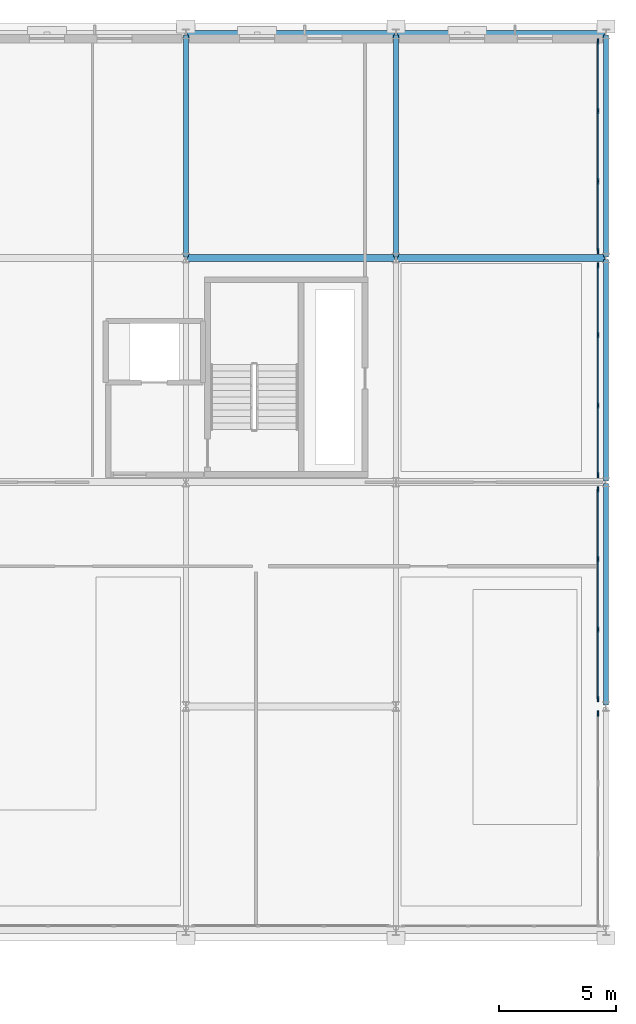
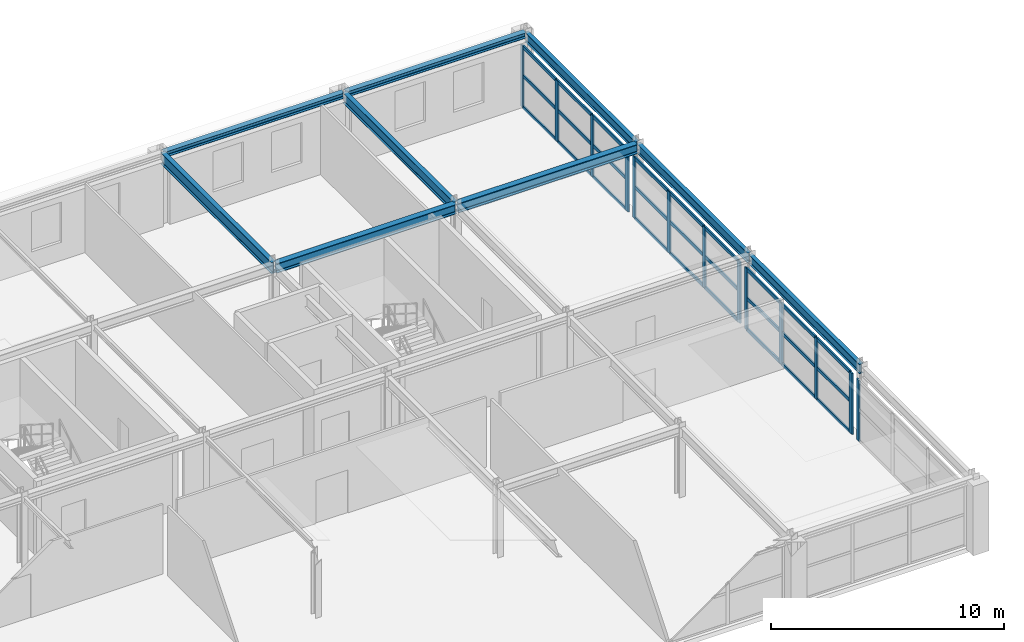
# One storey, part 29 of 52: 40 members, 9 beams, 4 elements without a shape of their own.
"""IFC4 building model written with IfcOpenShell, lengths in metres."""

from ifc_helpers import new_model, si_unit, direction, frame, origin, origin_2d, place, context, subcontext, project, spatial, rectangle, i_section, extrude, material, layer, layer_set, material_profile, profile_set, type_object, element, aggregate, save


model = new_model("IFC4")

# Units and contexts
model_context = context("Model", 3, precision=1e-05, world=origin(), true_north=direction((0.0, 1.0)))
body_context = subcontext(model_context, "Body", "Model", "MODEL_VIEW")
ifc_project = project(units=[si_unit("LENGTHUNIT", "METRE"), si_unit("AREAUNIT", "SQUARE_METRE"), si_unit("VOLUMEUNIT", "CUBIC_METRE"), si_unit("PLANEANGLEUNIT", "RADIAN"), si_unit("MASSUNIT", "GRAM", prefix="KILO")], contexts=[model_context])

# Site, building, storey
site_placement = place(None, origin())
site = spatial("IfcSite", under=ifc_project, at=site_placement, CompositionType="ELEMENT")
building_placement = place(site_placement, origin())
building = spatial("IfcBuilding", under=site, at=building_placement, Name="Myrtia Square Station", CompositionType="ELEMENT")
storey_placement = place(building_placement, frame((0.0, 0.0, 15.0)))
storey = spatial("IfcBuildingStorey", under=building, at=storey_placement, Name="L03", CompositionType="ELEMENT", Elevation=15.0)

# Beams
ifc_material_1 = material(Name="Steel S355", Category="steel")
ifc_material_profile_1 = material_profile(ifc_material_1, i_section(OverallWidth=0.300048828125, OverallDepth=0.5, WebThickness=0.014404296875, FlangeThickness=0.028076171875, FilletRadius=0.027099609375, at=origin_2d()), Name="HEB 500")
ifc_profile_set_1 = profile_set([ifc_material_profile_1], Name="Steel S355")
beam_type_1 = type_object("IfcBeamType", Name="BM-HEB500", PredefinedType="BEAM", material=ifc_profile_set_1)
for number, where, z_axis, x_axis, name in (
    (1, (171.050048828125, 115.199951171875, 3.409912109375), (1.0, 0.0, 0.0), (0.0, 1.0, 0.0), "Structural girder BMX-L03-0841"),
    (2, (180.050048828125, 115.199951171875, 3.409912109375), (1.0, 0.0, 0.0), (0.0, 1.0, 0.0), "Structural girder BMX-L03-0842"),
):
    element("IfcBeam", number, at=place(storey_placement, frame(where, z_axis=z_axis, x_axis=x_axis)), inside=storey, type_object=beam_type_1, Name=name, PredefinedType="BEAM", context=body_context, shape_type="SweptSolid", body=[
        extrude(i_section(OverallWidth=0.300048828125, OverallDepth=0.5, WebThickness=0.014404296875, FlangeThickness=0.028076171875, FilletRadius=0.027099609375, at=origin_2d()), origin(), (0.0, 0.0, 1.0), 8.89990234375),
    ])
ifc_material_profile_2 = material_profile(ifc_material_1, i_section(OverallWidth=0.199951171875, OverallDepth=0.5, WebThickness=0.01025390625, FlangeThickness=0.01611328125, FilletRadius=0.02099609375, at=origin_2d()), Name="IPE 500")
ifc_profile_set_2 = profile_set([ifc_material_profile_2], Name="Steel S355")
beam_type_2 = type_object("IfcBeamType", Name="BM-IPE500", PredefinedType="BEAM", material=ifc_profile_set_2)
for number, where, z_axis, x_axis, name in (
    (3, (189.0, 96.050048828125, 3.409912109375), (0.0, 1.0, 0.0), (-1.0, 0.0, 0.0), "Structural girder BMY-L03-0867"),
    (4, (189.0, 105.64990234375, 3.409912109375), (0.0, 1.0, 0.0), (-1.0, 0.0, 0.0), "Structural girder BMY-L03-0868"),
    (5, (189.0, 115.25, 3.409912109375), (0.0, 1.0, 0.0), (-1.0, 0.0, 0.0), "Structural girder BMY-L03-0869"),
):
    element("IfcBeam", number, at=place(storey_placement, frame(where, z_axis=z_axis, x_axis=x_axis)), inside=storey, type_object=beam_type_2, Name=name, PredefinedType="BEAM", context=body_context, shape_type="SweptSolid", body=[
        extrude(i_section(OverallWidth=0.199951171875, OverallDepth=0.5, WebThickness=0.01025390625, FlangeThickness=0.01611328125, FilletRadius=0.02099609375, at=origin_2d()), origin(), (0.0, 0.0, 1.0), 9.5),
    ])
ifc_material_profile_3 = material_profile(ifc_material_1, i_section(OverallWidth=0.2099609375, OverallDepth=0.550048828125, WebThickness=0.010986328125, FlangeThickness=0.01708984375, FilletRadius=0.02392578125, at=origin_2d()), Name="IPE 550")
ifc_profile_set_3 = profile_set([ifc_material_profile_3], Name="Steel S355")
beam_type_3 = type_object("IfcBeamType", Name="BM-IPE550", PredefinedType="BEAM", material=ifc_profile_set_3)
beam_1_placement = place(storey_placement, frame((180.0, 115.25, 3.385009765625), z_axis=(0.0, 1.0, 0.0), x_axis=(-1.0, 0.0, 0.0)))
element("IfcBeam", 6, at=beam_1_placement, inside=storey, type_object=beam_type_3, Name="Structural girder BMY-L03-0865", PredefinedType="BEAM", context=body_context, shape_type="SweptSolid", body=[
    extrude(i_section(OverallWidth=0.2099609375, OverallDepth=0.550048828125, WebThickness=0.010986328125, FlangeThickness=0.01708984375, FilletRadius=0.02392578125, at=origin_2d()), origin(), (0.0, 0.0, 1.0), 9.5),
])
ifc_material_profile_4 = material_profile(ifc_material_1, i_section(OverallWidth=0.219970703125, OverallDepth=0.60009765625, WebThickness=0.011962890625, FlangeThickness=0.01904296875, FilletRadius=0.02392578125, at=origin_2d()), Name="IPE 600")
ifc_profile_set_4 = profile_set([ifc_material_profile_4], Name="Steel S355")
beam_type_4 = type_object("IfcBeamType", Name="BM-IPE600", PredefinedType="BEAM", material=ifc_profile_set_4)
beam_2_placement = place(storey_placement, frame((171.0, 115.25, 3.360107421875), z_axis=(0.0, 1.0, 0.0), x_axis=(-1.0, 0.0, 0.0)))
element("IfcBeam", 7, at=beam_2_placement, inside=storey, type_object=beam_type_4, Name="Structural girder BMY-L03-0861", PredefinedType="BEAM", context=body_context, shape_type="SweptSolid", body=[
    extrude(i_section(OverallWidth=0.219970703125, OverallDepth=0.60009765625, WebThickness=0.011962890625, FlangeThickness=0.01904296875, FilletRadius=0.02392578125, at=origin_2d()), origin(), (0.0, 0.0, 1.0), 9.5),
])

# Curtain wall, member
ifc_material_2 = material(Name="Dark bronze anodised aluminium", Category="aluminium")
ifc_layer = layer(ifc_material_2, 0.159912109375, Name="Dark bronze anodised aluminium")
ifc_layer_set = layer_set([ifc_layer], Name="Dark bronze anodised aluminium")
curtain_wall_type = type_object("IfcCurtainWallType", Name="CW-TYPE-50-905x320", PredefinedType="USERDEFINED", material=ifc_layer_set)
curtain_wall_1_placement = place(storey_placement, origin())
curtain_wall_1 = element("IfcCurtainWall", 8, at=curtain_wall_1_placement, inside=storey, type_object=curtain_wall_type, Name="Concourse curtain wall CW-L03-159", ObjectType="CONCOURSE CURTAIN WALL", PredefinedType="USERDEFINED")
ifc_material_profile_5 = material_profile(ifc_material_2, rectangle(XDim=0.074951171875, YDim=0.239990234375, at=origin_2d()), Name="ALU-M 75x240")
ifc_profile_set_5 = profile_set([ifc_material_profile_5], Name="Dark bronze anodised aluminium")
member_type_1 = type_object("IfcMemberType", Name="CWM-75x240", PredefinedType="MULLION", material=ifc_profile_set_5)
member_1_placement = place(storey_placement, frame((188.64990234375, 95.6875, 0.0), z_axis=(0.0, 0.0, 1.0), x_axis=(-1.0, 0.0, 0.0)))
member_1 = element("IfcMember", 9, at=member_1_placement, type_object=member_type_1, Name="CW-159 mullion 4", PredefinedType="MULLION", context=body_context, shape_type="SweptSolid", body=[
    extrude(rectangle(XDim=0.074951171875, YDim=0.239990234375, at=origin_2d()), origin(), (0.0, 0.0, 1.0), 3.199951171875),
])
aggregate(curtain_wall_1, [member_1])

# Curtain wall, members
curtain_wall_2_placement = place(storey_placement, origin())
curtain_wall_2 = element("IfcCurtainWall", 10, at=curtain_wall_2_placement, inside=storey, type_object=curtain_wall_type, Name="Concourse curtain wall CW-L03-161", ObjectType="CONCOURSE CURTAIN WALL", PredefinedType="USERDEFINED")
member_2_placement = place(storey_placement, frame((188.64990234375, 96.3125, 0.0), z_axis=(0.0, 0.0, 1.0), x_axis=(-1.0, 0.0, 0.0)))
member_2 = element("IfcMember", 11, at=member_2_placement, type_object=member_type_1, Name="CW-161 mullion 1", PredefinedType="MULLION", context=body_context, shape_type="SweptSolid", body=[
    extrude(rectangle(XDim=0.074951171875, YDim=0.239990234375, at=origin_2d()), origin(), (0.0, 0.0, 1.0), 3.199951171875),
])
member_3_placement = place(storey_placement, frame((188.64990234375, 99.291748046875, 0.0), z_axis=(0.0, 0.0, 1.0), x_axis=(-1.0, 0.0, 0.0)))
member_3 = element("IfcMember", 12, at=member_3_placement, type_object=member_type_1, Name="CW-161 mullion 2", PredefinedType="MULLION", context=body_context, shape_type="SweptSolid", body=[
    extrude(rectangle(XDim=0.074951171875, YDim=0.239990234375, at=origin_2d()), origin(), (0.0, 0.0, 1.0), 3.199951171875),
])
member_4_placement = place(storey_placement, frame((188.64990234375, 102.308349609375, 0.0), z_axis=(0.0, 0.0, 1.0), x_axis=(-1.0, 0.0, 0.0)))
member_4 = element("IfcMember", 13, at=member_4_placement, type_object=member_type_1, Name="CW-161 mullion 3", PredefinedType="MULLION", context=body_context, shape_type="SweptSolid", body=[
    extrude(rectangle(XDim=0.074951171875, YDim=0.239990234375, at=origin_2d()), origin(), (0.0, 0.0, 1.0), 3.199951171875),
])
member_5_placement = place(storey_placement, frame((188.64990234375, 105.28759765625, 0.0), z_axis=(0.0, 0.0, 1.0), x_axis=(-1.0, 0.0, 0.0)))
member_5 = element("IfcMember", 14, at=member_5_placement, type_object=member_type_1, Name="CW-161 mullion 4", PredefinedType="MULLION", context=body_context, shape_type="SweptSolid", body=[
    extrude(rectangle(XDim=0.074951171875, YDim=0.239990234375, at=origin_2d()), origin(), (0.0, 0.0, 1.0), 3.199951171875),
])

curtain_wall_3_placement = place(storey_placement, origin())
curtain_wall_3 = element("IfcCurtainWall", 15, at=curtain_wall_3_placement, inside=storey, type_object=curtain_wall_type, Name="Concourse curtain wall CW-L03-163", ObjectType="CONCOURSE CURTAIN WALL", PredefinedType="USERDEFINED")
member_6_placement = place(storey_placement, frame((188.64990234375, 105.91259765625, 0.0), z_axis=(0.0, 0.0, 1.0), x_axis=(-1.0, 0.0, 0.0)))
member_6 = element("IfcMember", 16, at=member_6_placement, type_object=member_type_1, Name="CW-163 mullion 1", PredefinedType="MULLION", context=body_context, shape_type="SweptSolid", body=[
    extrude(rectangle(XDim=0.074951171875, YDim=0.239990234375, at=origin_2d()), origin(), (0.0, 0.0, 1.0), 3.199951171875),
])
member_7_placement = place(storey_placement, frame((188.64990234375, 108.8916015625, 0.0), z_axis=(0.0, 0.0, 1.0), x_axis=(-1.0, 0.0, 0.0)))
member_7 = element("IfcMember", 17, at=member_7_placement, type_object=member_type_1, Name="CW-163 mullion 2", PredefinedType="MULLION", context=body_context, shape_type="SweptSolid", body=[
    extrude(rectangle(XDim=0.074951171875, YDim=0.239990234375, at=origin_2d()), origin(), (0.0, 0.0, 1.0), 3.199951171875),
])
member_8_placement = place(storey_placement, frame((188.64990234375, 111.908447265625, 0.0), z_axis=(0.0, 0.0, 1.0), x_axis=(-1.0, 0.0, 0.0)))
member_8 = element("IfcMember", 18, at=member_8_placement, type_object=member_type_1, Name="CW-163 mullion 3", PredefinedType="MULLION", context=body_context, shape_type="SweptSolid", body=[
    extrude(rectangle(XDim=0.074951171875, YDim=0.239990234375, at=origin_2d()), origin(), (0.0, 0.0, 1.0), 3.199951171875),
])
member_9_placement = place(storey_placement, frame((188.64990234375, 114.887451171875, 0.0), z_axis=(0.0, 0.0, 1.0), x_axis=(-1.0, 0.0, 0.0)))
member_9 = element("IfcMember", 19, at=member_9_placement, type_object=member_type_1, Name="CW-163 mullion 4", PredefinedType="MULLION", context=body_context, shape_type="SweptSolid", body=[
    extrude(rectangle(XDim=0.074951171875, YDim=0.239990234375, at=origin_2d()), origin(), (0.0, 0.0, 1.0), 3.199951171875),
])

curtain_wall_4_placement = place(storey_placement, origin())
curtain_wall_4 = element("IfcCurtainWall", 20, at=curtain_wall_4_placement, inside=storey, type_object=curtain_wall_type, Name="Concourse curtain wall CW-L03-165", ObjectType="CONCOURSE CURTAIN WALL", PredefinedType="USERDEFINED")
member_10_placement = place(storey_placement, frame((188.64990234375, 115.512451171875, 0.0), z_axis=(0.0, 0.0, 1.0), x_axis=(-1.0, 0.0, 0.0)))
member_10 = element("IfcMember", 21, at=member_10_placement, type_object=member_type_1, Name="CW-165 mullion 1", PredefinedType="MULLION", context=body_context, shape_type="SweptSolid", body=[
    extrude(rectangle(XDim=0.074951171875, YDim=0.239990234375, at=origin_2d()), origin(), (0.0, 0.0, 1.0), 3.199951171875),
])
member_11_placement = place(storey_placement, frame((188.64990234375, 118.49169921875, 0.0), z_axis=(0.0, 0.0, 1.0), x_axis=(-1.0, 0.0, 0.0)))
member_11 = element("IfcMember", 22, at=member_11_placement, type_object=member_type_1, Name="CW-165 mullion 2", PredefinedType="MULLION", context=body_context, shape_type="SweptSolid", body=[
    extrude(rectangle(XDim=0.074951171875, YDim=0.239990234375, at=origin_2d()), origin(), (0.0, 0.0, 1.0), 3.199951171875),
])
member_12_placement = place(storey_placement, frame((188.64990234375, 121.50830078125, 0.0), z_axis=(0.0, 0.0, 1.0), x_axis=(-1.0, 0.0, 0.0)))
member_12 = element("IfcMember", 23, at=member_12_placement, type_object=member_type_1, Name="CW-165 mullion 3", PredefinedType="MULLION", context=body_context, shape_type="SweptSolid", body=[
    extrude(rectangle(XDim=0.074951171875, YDim=0.239990234375, at=origin_2d()), origin(), (0.0, 0.0, 1.0), 3.199951171875),
])
member_13_placement = place(storey_placement, frame((188.64990234375, 124.487548828125, 0.0), z_axis=(0.0, 0.0, 1.0), x_axis=(-1.0, 0.0, 0.0)))
member_13 = element("IfcMember", 24, at=member_13_placement, type_object=member_type_1, Name="CW-165 mullion 4", PredefinedType="MULLION", context=body_context, shape_type="SweptSolid", body=[
    extrude(rectangle(XDim=0.074951171875, YDim=0.239990234375, at=origin_2d()), origin(), (0.0, 0.0, 1.0), 3.199951171875),
])

# Member
ifc_material_profile_6 = material_profile(ifc_material_2, rectangle(XDim=0.074951171875, YDim=0.179931640625, at=origin_2d()), Name="ALU-T 75x180")
ifc_profile_set_6 = profile_set([ifc_material_profile_6], Name="Dark bronze anodised aluminium")
member_type_2 = type_object("IfcMemberType", Name="CWT-75x180", PredefinedType="USERDEFINED", material=ifc_profile_set_6)
member_14_placement = place(storey_placement, frame((188.64990234375, 96.35009765625, 0.03759765625), z_axis=(0.0, 1.0, 0.0), x_axis=(-1.0, 0.0, 0.0)))
member_14 = element("IfcMember", 25, at=member_14_placement, type_object=member_type_2, Name="CW-161 transom 1.1", ObjectType="TRANSOM", PredefinedType="USERDEFINED", context=body_context, shape_type="SweptSolid", body=[
    extrude(rectangle(XDim=0.074951171875, YDim=0.179931640625, at=origin_2d()), origin(), (0.0, 0.0, 1.0), 2.904052734375),
])

member_15_placement = place(storey_placement, frame((188.64990234375, 96.35009765625, 1.6640625), z_axis=(0.0, 1.0, 0.0), x_axis=(-1.0, 0.0, 0.0)))
member_15 = element("IfcMember", 26, at=member_15_placement, type_object=member_type_2, Name="CW-161 transom 1.2", ObjectType="TRANSOM", PredefinedType="USERDEFINED", context=body_context, shape_type="SweptSolid", body=[
    extrude(rectangle(XDim=0.074951171875, YDim=0.179931640625, at=origin_2d()), origin(), (0.0, 0.0, 1.0), 2.904052734375),
])

member_16_placement = place(storey_placement, frame((188.64990234375, 96.35009765625, 3.16259765625), z_axis=(0.0, 1.0, 0.0), x_axis=(-1.0, 0.0, 0.0)))
member_16 = element("IfcMember", 27, at=member_16_placement, type_object=member_type_2, Name="CW-161 transom 1.3", ObjectType="TRANSOM", PredefinedType="USERDEFINED", context=body_context, shape_type="SweptSolid", body=[
    extrude(rectangle(XDim=0.074951171875, YDim=0.179931640625, at=origin_2d()), origin(), (0.0, 0.0, 1.0), 2.904052734375),
])

member_17_placement = place(storey_placement, frame((188.64990234375, 99.3291015625, 0.03759765625), z_axis=(0.0, 1.0, 0.0), x_axis=(-1.0, 0.0, 0.0)))
member_17 = element("IfcMember", 28, at=member_17_placement, type_object=member_type_2, Name="CW-161 transom 2.1", ObjectType="TRANSOM", PredefinedType="USERDEFINED", context=body_context, shape_type="SweptSolid", body=[
    extrude(rectangle(XDim=0.074951171875, YDim=0.179931640625, at=origin_2d()), origin(), (0.0, 0.0, 1.0), 2.941650390625),
])

member_18_placement = place(storey_placement, frame((188.64990234375, 99.3291015625, 1.6640625), z_axis=(0.0, 1.0, 0.0), x_axis=(-1.0, 0.0, 0.0)))
member_18 = element("IfcMember", 29, at=member_18_placement, type_object=member_type_2, Name="CW-161 transom 2.2", ObjectType="TRANSOM", PredefinedType="USERDEFINED", context=body_context, shape_type="SweptSolid", body=[
    extrude(rectangle(XDim=0.074951171875, YDim=0.179931640625, at=origin_2d()), origin(), (0.0, 0.0, 1.0), 2.941650390625),
])

member_19_placement = place(storey_placement, frame((188.64990234375, 99.3291015625, 3.16259765625), z_axis=(0.0, 1.0, 0.0), x_axis=(-1.0, 0.0, 0.0)))
member_19 = element("IfcMember", 30, at=member_19_placement, type_object=member_type_2, Name="CW-161 transom 2.3", ObjectType="TRANSOM", PredefinedType="USERDEFINED", context=body_context, shape_type="SweptSolid", body=[
    extrude(rectangle(XDim=0.074951171875, YDim=0.179931640625, at=origin_2d()), origin(), (0.0, 0.0, 1.0), 2.941650390625),
])

member_20_placement = place(storey_placement, frame((188.64990234375, 102.345947265625, 0.03759765625), z_axis=(0.0, 1.0, 0.0), x_axis=(-1.0, 0.0, 0.0)))
member_20 = element("IfcMember", 31, at=member_20_placement, type_object=member_type_2, Name="CW-161 transom 3.1", ObjectType="TRANSOM", PredefinedType="USERDEFINED", context=body_context, shape_type="SweptSolid", body=[
    extrude(rectangle(XDim=0.074951171875, YDim=0.179931640625, at=origin_2d()), origin(), (0.0, 0.0, 1.0), 2.904052734375),
])

member_21_placement = place(storey_placement, frame((188.64990234375, 102.345947265625, 1.6640625), z_axis=(0.0, 1.0, 0.0), x_axis=(-1.0, 0.0, 0.0)))
member_21 = element("IfcMember", 32, at=member_21_placement, type_object=member_type_2, Name="CW-161 transom 3.2", ObjectType="TRANSOM", PredefinedType="USERDEFINED", context=body_context, shape_type="SweptSolid", body=[
    extrude(rectangle(XDim=0.074951171875, YDim=0.179931640625, at=origin_2d()), origin(), (0.0, 0.0, 1.0), 2.904052734375),
])

member_22_placement = place(storey_placement, frame((188.64990234375, 102.345947265625, 3.16259765625), z_axis=(0.0, 1.0, 0.0), x_axis=(-1.0, 0.0, 0.0)))
member_22 = element("IfcMember", 33, at=member_22_placement, type_object=member_type_2, Name="CW-161 transom 3.3", ObjectType="TRANSOM", PredefinedType="USERDEFINED", context=body_context, shape_type="SweptSolid", body=[
    extrude(rectangle(XDim=0.074951171875, YDim=0.179931640625, at=origin_2d()), origin(), (0.0, 0.0, 1.0), 2.904052734375),
])

aggregate(curtain_wall_2, [member_2, member_3, member_4, member_5, member_14, member_15, member_16, member_17, member_18, member_19, member_20, member_21, member_22])

member_23_placement = place(storey_placement, frame((188.64990234375, 105.949951171875, 0.03759765625), z_axis=(0.0, 1.0, 0.0), x_axis=(-1.0, 0.0, 0.0)))
member_23 = element("IfcMember", 34, at=member_23_placement, type_object=member_type_2, Name="CW-163 transom 1.1", ObjectType="TRANSOM", PredefinedType="USERDEFINED", context=body_context, shape_type="SweptSolid", body=[
    extrude(rectangle(XDim=0.074951171875, YDim=0.179931640625, at=origin_2d()), origin(), (0.0, 0.0, 1.0), 2.904296875),
])

member_24_placement = place(storey_placement, frame((188.64990234375, 105.949951171875, 1.6640625), z_axis=(0.0, 1.0, 0.0), x_axis=(-1.0, 0.0, 0.0)))
member_24 = element("IfcMember", 35, at=member_24_placement, type_object=member_type_2, Name="CW-163 transom 1.2", ObjectType="TRANSOM", PredefinedType="USERDEFINED", context=body_context, shape_type="SweptSolid", body=[
    extrude(rectangle(XDim=0.074951171875, YDim=0.179931640625, at=origin_2d()), origin(), (0.0, 0.0, 1.0), 2.904296875),
])

member_25_placement = place(storey_placement, frame((188.64990234375, 105.949951171875, 3.16259765625), z_axis=(0.0, 1.0, 0.0), x_axis=(-1.0, 0.0, 0.0)))
member_25 = element("IfcMember", 36, at=member_25_placement, type_object=member_type_2, Name="CW-163 transom 1.3", ObjectType="TRANSOM", PredefinedType="USERDEFINED", context=body_context, shape_type="SweptSolid", body=[
    extrude(rectangle(XDim=0.074951171875, YDim=0.179931640625, at=origin_2d()), origin(), (0.0, 0.0, 1.0), 2.904296875),
])

member_26_placement = place(storey_placement, frame((188.64990234375, 108.92919921875, 0.03759765625), z_axis=(0.0, 1.0, 0.0), x_axis=(-1.0, 0.0, 0.0)))
member_26 = element("IfcMember", 37, at=member_26_placement, type_object=member_type_2, Name="CW-163 transom 2.1", ObjectType="TRANSOM", PredefinedType="USERDEFINED", context=body_context, shape_type="SweptSolid", body=[
    extrude(rectangle(XDim=0.074951171875, YDim=0.179931640625, at=origin_2d()), origin(), (0.0, 0.0, 1.0), 2.941650390625),
])

member_27_placement = place(storey_placement, frame((188.64990234375, 108.92919921875, 1.6640625), z_axis=(0.0, 1.0, 0.0), x_axis=(-1.0, 0.0, 0.0)))
member_27 = element("IfcMember", 38, at=member_27_placement, type_object=member_type_2, Name="CW-163 transom 2.2", ObjectType="TRANSOM", PredefinedType="USERDEFINED", context=body_context, shape_type="SweptSolid", body=[
    extrude(rectangle(XDim=0.074951171875, YDim=0.179931640625, at=origin_2d()), origin(), (0.0, 0.0, 1.0), 2.941650390625),
])

member_28_placement = place(storey_placement, frame((188.64990234375, 108.92919921875, 3.16259765625), z_axis=(0.0, 1.0, 0.0), x_axis=(-1.0, 0.0, 0.0)))
member_28 = element("IfcMember", 39, at=member_28_placement, type_object=member_type_2, Name="CW-163 transom 2.3", ObjectType="TRANSOM", PredefinedType="USERDEFINED", context=body_context, shape_type="SweptSolid", body=[
    extrude(rectangle(XDim=0.074951171875, YDim=0.179931640625, at=origin_2d()), origin(), (0.0, 0.0, 1.0), 2.941650390625),
])

member_29_placement = place(storey_placement, frame((188.64990234375, 111.94580078125, 0.03759765625), z_axis=(0.0, 1.0, 0.0), x_axis=(-1.0, 0.0, 0.0)))
member_29 = element("IfcMember", 40, at=member_29_placement, type_object=member_type_2, Name="CW-163 transom 3.1", ObjectType="TRANSOM", PredefinedType="USERDEFINED", context=body_context, shape_type="SweptSolid", body=[
    extrude(rectangle(XDim=0.074951171875, YDim=0.179931640625, at=origin_2d()), origin(), (0.0, 0.0, 1.0), 2.904296875),
])

member_30_placement = place(storey_placement, frame((188.64990234375, 111.94580078125, 1.6640625), z_axis=(0.0, 1.0, 0.0), x_axis=(-1.0, 0.0, 0.0)))
member_30 = element("IfcMember", 41, at=member_30_placement, type_object=member_type_2, Name="CW-163 transom 3.2", ObjectType="TRANSOM", PredefinedType="USERDEFINED", context=body_context, shape_type="SweptSolid", body=[
    extrude(rectangle(XDim=0.074951171875, YDim=0.179931640625, at=origin_2d()), origin(), (0.0, 0.0, 1.0), 2.904296875),
])

member_31_placement = place(storey_placement, frame((188.64990234375, 111.94580078125, 3.16259765625), z_axis=(0.0, 1.0, 0.0), x_axis=(-1.0, 0.0, 0.0)))
member_31 = element("IfcMember", 42, at=member_31_placement, type_object=member_type_2, Name="CW-163 transom 3.3", ObjectType="TRANSOM", PredefinedType="USERDEFINED", context=body_context, shape_type="SweptSolid", body=[
    extrude(rectangle(XDim=0.074951171875, YDim=0.179931640625, at=origin_2d()), origin(), (0.0, 0.0, 1.0), 2.904296875),
])

aggregate(curtain_wall_3, [member_6, member_7, member_8, member_9, member_23, member_24, member_25, member_26, member_27, member_28, member_29, member_30, member_31])

member_32_placement = place(storey_placement, frame((188.64990234375, 115.550048828125, 0.03759765625), z_axis=(0.0, 1.0, 0.0), x_axis=(-1.0, 0.0, 0.0)))
member_32 = element("IfcMember", 43, at=member_32_placement, type_object=member_type_2, Name="CW-165 transom 1.1", ObjectType="TRANSOM", PredefinedType="USERDEFINED", context=body_context, shape_type="SweptSolid", body=[
    extrude(rectangle(XDim=0.074951171875, YDim=0.179931640625, at=origin_2d()), origin(), (0.0, 0.0, 1.0), 2.904052734375),
])

member_33_placement = place(storey_placement, frame((188.64990234375, 115.550048828125, 1.6640625), z_axis=(0.0, 1.0, 0.0), x_axis=(-1.0, 0.0, 0.0)))
member_33 = element("IfcMember", 44, at=member_33_placement, type_object=member_type_2, Name="CW-165 transom 1.2", ObjectType="TRANSOM", PredefinedType="USERDEFINED", context=body_context, shape_type="SweptSolid", body=[
    extrude(rectangle(XDim=0.074951171875, YDim=0.179931640625, at=origin_2d()), origin(), (0.0, 0.0, 1.0), 2.904052734375),
])

member_34_placement = place(storey_placement, frame((188.64990234375, 115.550048828125, 3.16259765625), z_axis=(0.0, 1.0, 0.0), x_axis=(-1.0, 0.0, 0.0)))
member_34 = element("IfcMember", 45, at=member_34_placement, type_object=member_type_2, Name="CW-165 transom 1.3", ObjectType="TRANSOM", PredefinedType="USERDEFINED", context=body_context, shape_type="SweptSolid", body=[
    extrude(rectangle(XDim=0.074951171875, YDim=0.179931640625, at=origin_2d()), origin(), (0.0, 0.0, 1.0), 2.904052734375),
])

member_35_placement = place(storey_placement, frame((188.64990234375, 118.529052734375, 0.03759765625), z_axis=(0.0, 1.0, 0.0), x_axis=(-1.0, 0.0, 0.0)))
member_35 = element("IfcMember", 46, at=member_35_placement, type_object=member_type_2, Name="CW-165 transom 2.1", ObjectType="TRANSOM", PredefinedType="USERDEFINED", context=body_context, shape_type="SweptSolid", body=[
    extrude(rectangle(XDim=0.074951171875, YDim=0.179931640625, at=origin_2d()), origin(), (0.0, 0.0, 1.0), 2.94189453125),
])

member_36_placement = place(storey_placement, frame((188.64990234375, 118.529052734375, 1.6640625), z_axis=(0.0, 1.0, 0.0), x_axis=(-1.0, 0.0, 0.0)))
member_36 = element("IfcMember", 47, at=member_36_placement, type_object=member_type_2, Name="CW-165 transom 2.2", ObjectType="TRANSOM", PredefinedType="USERDEFINED", context=body_context, shape_type="SweptSolid", body=[
    extrude(rectangle(XDim=0.074951171875, YDim=0.179931640625, at=origin_2d()), origin(), (0.0, 0.0, 1.0), 2.94189453125),
])

member_37_placement = place(storey_placement, frame((188.64990234375, 118.529052734375, 3.16259765625), z_axis=(0.0, 1.0, 0.0), x_axis=(-1.0, 0.0, 0.0)))
member_37 = element("IfcMember", 48, at=member_37_placement, type_object=member_type_2, Name="CW-165 transom 2.3", ObjectType="TRANSOM", PredefinedType="USERDEFINED", context=body_context, shape_type="SweptSolid", body=[
    extrude(rectangle(XDim=0.074951171875, YDim=0.179931640625, at=origin_2d()), origin(), (0.0, 0.0, 1.0), 2.94189453125),
])

member_38_placement = place(storey_placement, frame((188.64990234375, 121.5458984375, 0.03759765625), z_axis=(0.0, 1.0, 0.0), x_axis=(-1.0, 0.0, 0.0)))
member_38 = element("IfcMember", 49, at=member_38_placement, type_object=member_type_2, Name="CW-165 transom 3.1", ObjectType="TRANSOM", PredefinedType="USERDEFINED", context=body_context, shape_type="SweptSolid", body=[
    extrude(rectangle(XDim=0.074951171875, YDim=0.179931640625, at=origin_2d()), origin(), (0.0, 0.0, 1.0), 2.904052734375),
])

member_39_placement = place(storey_placement, frame((188.64990234375, 121.5458984375, 1.6640625), z_axis=(0.0, 1.0, 0.0), x_axis=(-1.0, 0.0, 0.0)))
member_39 = element("IfcMember", 50, at=member_39_placement, type_object=member_type_2, Name="CW-165 transom 3.2", ObjectType="TRANSOM", PredefinedType="USERDEFINED", context=body_context, shape_type="SweptSolid", body=[
    extrude(rectangle(XDim=0.074951171875, YDim=0.179931640625, at=origin_2d()), origin(), (0.0, 0.0, 1.0), 2.904052734375),
])

member_40_placement = place(storey_placement, frame((188.64990234375, 121.5458984375, 3.16259765625), z_axis=(0.0, 1.0, 0.0), x_axis=(-1.0, 0.0, 0.0)))
member_40 = element("IfcMember", 51, at=member_40_placement, type_object=member_type_2, Name="CW-165 transom 3.3", ObjectType="TRANSOM", PredefinedType="USERDEFINED", context=body_context, shape_type="SweptSolid", body=[
    extrude(rectangle(XDim=0.074951171875, YDim=0.179931640625, at=origin_2d()), origin(), (0.0, 0.0, 1.0), 2.904052734375),
])

aggregate(curtain_wall_4, [member_10, member_11, member_12, member_13, member_32, member_33, member_34, member_35, member_36, member_37, member_38, member_39, member_40])

# Beams
ifc_material_profile_7 = material_profile(ifc_material_1, i_section(OverallWidth=0.280029296875, OverallDepth=0.280029296875, WebThickness=0.010498046875, FlangeThickness=0.01806640625, FilletRadius=0.02392578125, at=origin_2d()), Name="HEB 280")
ifc_profile_set_7 = profile_set([ifc_material_profile_7], Name="Steel S355")
beam_type_5 = type_object("IfcBeamType", Name="SPN-HEB280", PredefinedType="SPANDREL", material=ifc_profile_set_7)
for number, where, z_axis, x_axis, name in (
    (52, (171.050048828125, 124.800048828125, 3.52001953125), (1.0, 0.0, 0.0), (0.0, 1.0, 0.0), "Structural girder SPN-L03-0247"),
    (53, (180.050048828125, 124.800048828125, 3.52001953125), (1.0, 0.0, 0.0), (0.0, 1.0, 0.0), "Structural girder SPN-L03-0248"),
):
    element("IfcBeam", number, at=place(storey_placement, frame(where, z_axis=z_axis, x_axis=x_axis)), inside=storey, type_object=beam_type_5, Name=name, PredefinedType="SPANDREL", context=body_context, shape_type="SweptSolid", body=[
        extrude(i_section(OverallWidth=0.280029296875, OverallDepth=0.280029296875, WebThickness=0.010498046875, FlangeThickness=0.01806640625, FilletRadius=0.02392578125, at=origin_2d()), origin(), (0.0, 0.0, 1.0), 8.89990234375),
    ])

save(model, "model.ifc")
